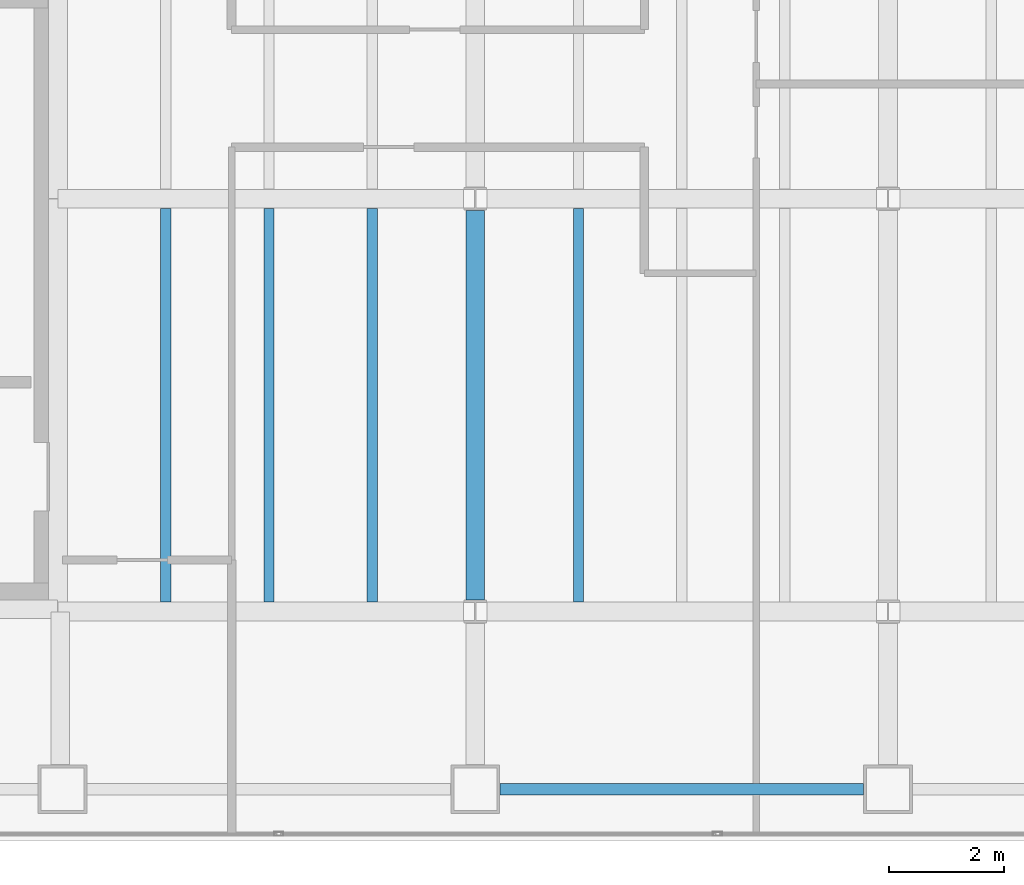
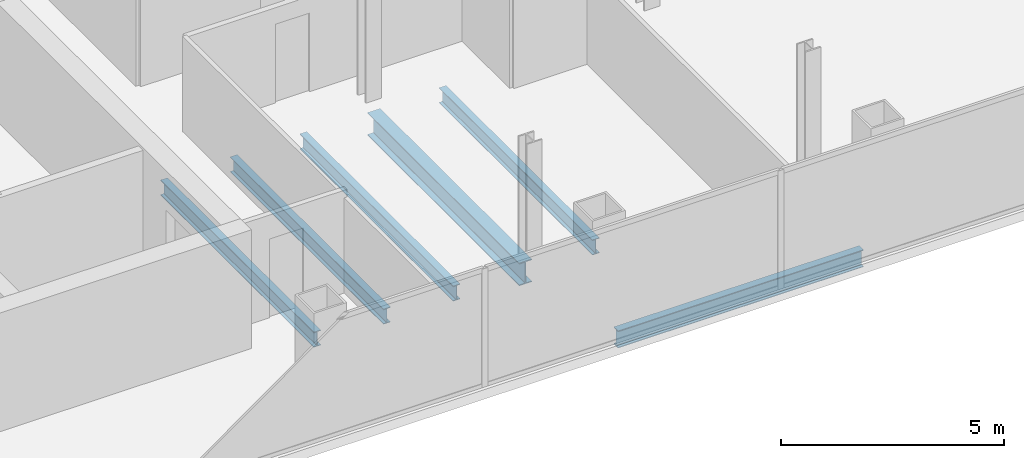
# One storey, part 5 of 23: 6 beams.
"""IFC4 building model written with IfcOpenShell, lengths in metres."""

from ifc_helpers import new_model, si_unit, direction, frame, origin, origin_2d, place, context, subcontext, project, spatial, i_section, extrude, material, material_profile, profile_set, type_object, element, save


model = new_model("IFC4")

# Units and contexts
model_context = context("Model", 3, precision=1e-05, world=origin(), true_north=direction((0.0, 1.0)))
body_context = subcontext(model_context, "Body", "Model", "MODEL_VIEW")
ifc_project = project(units=[si_unit("LENGTHUNIT", "METRE"), si_unit("AREAUNIT", "SQUARE_METRE"), si_unit("VOLUMEUNIT", "CUBIC_METRE"), si_unit("PLANEANGLEUNIT", "RADIAN"), si_unit("MASSUNIT", "GRAM", prefix="KILO")], contexts=[model_context])

# Site, building, storey
site_placement = place(None, origin())
site = spatial("IfcSite", under=ifc_project, at=site_placement, CompositionType="ELEMENT")
building_placement = place(site_placement, origin())
building = spatial("IfcBuilding", under=site, at=building_placement, Name="Cobrela Telecom Tower", CompositionType="ELEMENT")
storey_placement = place(building_placement, frame((0.0, 0.0, 183.75)))
storey = spatial("IfcBuildingStorey", under=building, at=storey_placement, Name="L46", CompositionType="ELEMENT", Elevation=183.75)

# Beams
ifc_material = material(Name="Steel ASTM A992 Grade 50", Category="steel")
ifc_material_profile_1 = material_profile(ifc_material, i_section(OverallWidth=0.327880859375, OverallDepth=0.6220703125, WebThickness=0.015380859375, FlangeThickness=0.0244140625, FilletRadius=0.014892578125, at=origin_2d()), Name="W24X131")
ifc_profile_set_1 = profile_set([ifc_material_profile_1], Name="Steel ASTM A992 Grade 50")
beam_type_1 = type_object("IfcBeamType", Name="BM-GIRD-06", PredefinedType="USERDEFINED", material=ifc_profile_set_1)
beam_1_placement = place(storey_placement, frame((21.60009765625, 7.404541015625, -0.571044921875), z_axis=(0.0, 1.0, 0.0), x_axis=(-1.0, 0.0, 0.0)))
element("IfcBeam", 1, at=beam_1_placement, inside=storey, type_object=beam_type_1, Name="L46 Primary Girder Y33", ObjectType="GIRDER", PredefinedType="USERDEFINED", context=body_context, shape_type="SweptSolid", body=[
    extrude(i_section(OverallWidth=0.327880859375, OverallDepth=0.6220703125, WebThickness=0.015380859375, FlangeThickness=0.0244140625, FilletRadius=0.014892578125, at=origin_2d()), origin(), (0.0, 0.0, 1.0), 6.791015625),
])
ifc_material_profile_2 = material_profile(ifc_material, i_section(OverallWidth=0.179931640625, OverallDepth=0.4169921875, WebThickness=0.010986328125, FlangeThickness=0.01806640625, FilletRadius=0.011962890625, at=origin_2d()), Name="W16X57")
ifc_profile_set_2 = profile_set([ifc_material_profile_2], Name="Steel ASTM A992 Grade 50")
beam_type_2 = type_object("IfcBeamType", Name="BM-JOIST-04", PredefinedType="JOIST", material=ifc_profile_set_2)
for number, where, z_axis, x_axis, name in (
    (2, (16.199951171875, 7.368896484375, -0.468505859375), (0.0, 1.0, 0.0), (-1.0, 0.0, 0.0), "L46 Secondary Composite Floor Beam J01"),
    (3, (18.0, 7.368896484375, -0.468505859375), (0.0, 1.0, 0.0), (-1.0, 0.0, 0.0), "L46 Secondary Composite Floor Beam J05"),
    (4, (19.800048828125, 7.368896484375, -0.468505859375), (0.0, 1.0, 0.0), (-1.0, 0.0, 0.0), "L46 Secondary Composite Floor Beam J09"),
    (5, (23.39990234375, 7.368896484375, -0.468505859375), (0.0, 1.0, 0.0), (-1.0, 0.0, 0.0), "L46 Secondary Composite Floor Beam J13"),
):
    element("IfcBeam", number, at=place(storey_placement, frame(where, z_axis=z_axis, x_axis=x_axis)), inside=storey, type_object=beam_type_2, Name=name, PredefinedType="JOIST", context=body_context, shape_type="SweptSolid", body=[
        extrude(i_section(OverallWidth=0.179931640625, OverallDepth=0.4169921875, WebThickness=0.010986328125, FlangeThickness=0.01806640625, FilletRadius=0.011962890625, at=origin_2d()), origin(), (0.0, 0.0, 1.0), 6.862060546875),
    ])
ifc_material_profile_3 = material_profile(ifc_material, i_section(OverallWidth=0.193115234375, OverallDepth=0.467041015625, WebThickness=0.011474609375, FlangeThickness=0.01904296875, FilletRadius=0.012939453125, at=origin_2d()), Name="W18X65")
ifc_profile_set_3 = profile_set([ifc_material_profile_3], Name="Steel ASTM A992 Grade 50")
beam_type_3 = type_object("IfcBeamType", Name="BM-SPAND-05", PredefinedType="SPANDREL", material=ifc_profile_set_3)
beam_2_placement = place(storey_placement, frame((22.030029296875, 4.10009765625, -0.493408203125), z_axis=(1.0, 0.0, 0.0), x_axis=(0.0, 1.0, 0.0)))
element("IfcBeam", 6, at=beam_2_placement, inside=storey, type_object=beam_type_3, Name="L46 Perimeter Spandrel X03", PredefinedType="SPANDREL", context=body_context, shape_type="SweptSolid", body=[
    extrude(i_section(OverallWidth=0.193115234375, OverallDepth=0.467041015625, WebThickness=0.011474609375, FlangeThickness=0.01904296875, FilletRadius=0.012939453125, at=origin_2d()), origin(), (0.0, 0.0, 1.0), 6.340087890625),
])

save(model, "model.ifc")
